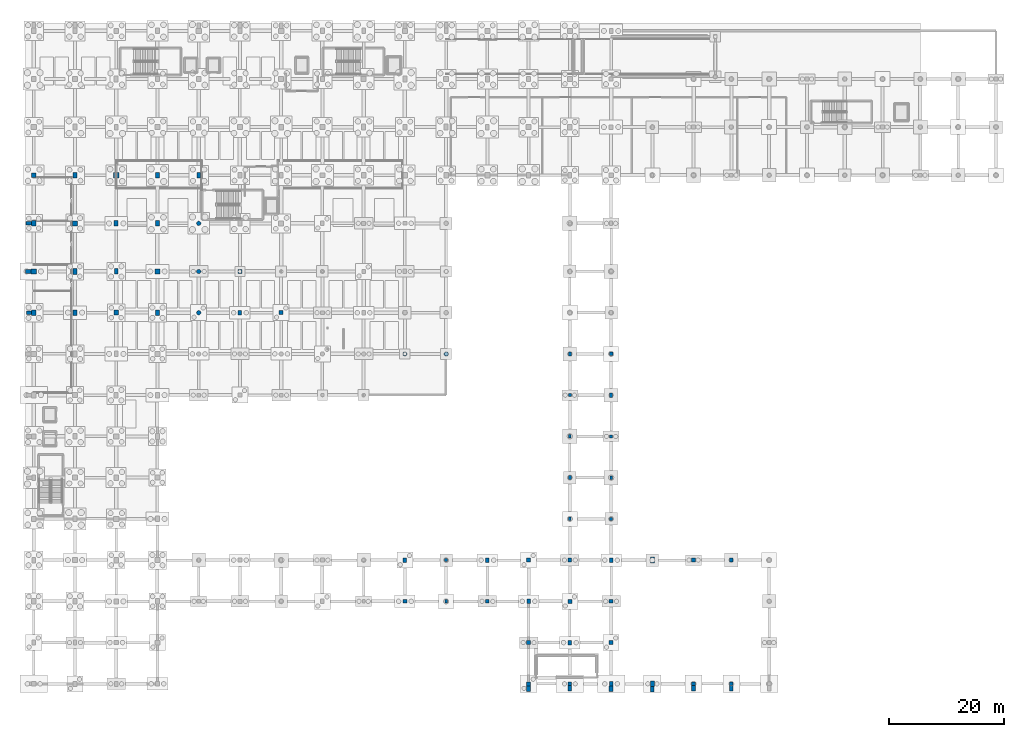
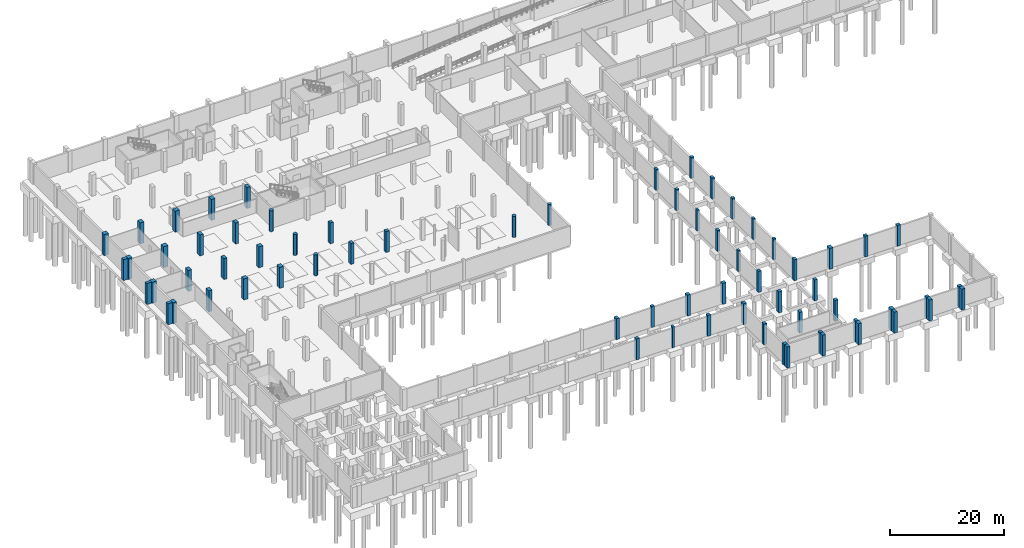
# One storey, part 16 of 35: 68 columns.
"""IFC4 building model written with IfcOpenShell, lengths in metres."""

from ifc_helpers import new_model, si_unit, direction, frame, origin, origin_2d, place, context, subcontext, project, spatial, rectangle, circle, extrude, material, material_profile, profile_set, type_object, element, save


model = new_model("IFC4")

# Units and contexts
model_context = context("Model", 3, precision=1e-05, world=origin(), true_north=direction((0.0, 1.0)))
body_context = subcontext(model_context, "Body", "Model", "MODEL_VIEW")
ifc_project = project(units=[si_unit("LENGTHUNIT", "METRE"), si_unit("AREAUNIT", "SQUARE_METRE"), si_unit("VOLUMEUNIT", "CUBIC_METRE"), si_unit("PLANEANGLEUNIT", "RADIAN"), si_unit("MASSUNIT", "GRAM", prefix="KILO")], contexts=[model_context])

# Site, building, storey
site_placement = place(None, origin())
site = spatial("IfcSite", under=ifc_project, at=site_placement, CompositionType="ELEMENT")
building_placement = place(site_placement, origin())
building = spatial("IfcBuilding", under=site, at=building_placement, Name="Kalluvel Institute of Natural Sciences", CompositionType="ELEMENT")
storey_placement = place(building_placement, frame((0.0, 0.0, -4.5)))
storey = spatial("IfcBuildingStorey", under=building, at=storey_placement, Name="B1", CompositionType="ELEMENT", Elevation=-4.5)

# Columns
ifc_material_1 = material(Name="Concrete M40", Category="concrete")
ifc_material_profile_1 = material_profile(ifc_material_1, rectangle(XDim=0.449951171875, YDim=0.60009765625, at=origin_2d()), Name="RC 450x600")
ifc_profile_set_1 = profile_set([ifc_material_profile_1], Name="Concrete M40")
column_type_1 = type_object("IfcColumnType", Name="COL-RC450x600", PredefinedType="COLUMN", material=ifc_profile_set_1)
for number, where, z_axis, x_axis, name in (
    (1, (86.0, 28.39990234375, 0.0), (0.0, 0.0, 1.0), (1.0, 0.0, 0.0), "B1 structural column COL-B1-X860-Y284"),
    (2, (107.60009765625, 42.800048828125, 0.0), (0.0, 0.0, 1.0), (1.0, 0.0, 0.0), "B1 structural column COL-B1-X1076-Y428"),
    (3, (107.60009765625, 57.199951171875, 0.0), (0.0, 0.0, 1.0), (1.0, 0.0, 0.0), "B1 structural column COL-B1-X1076-Y572"),
    (4, (114.800048828125, 50.0, 0.0), (0.0, 0.0, 1.0), (1.0, 0.0, 0.0), "B1 structural column COL-B1-X1148-Y500"),
):
    element("IfcColumn", number, at=place(storey_placement, frame(where, z_axis=z_axis, x_axis=x_axis)), inside=storey, type_object=column_type_1, Name=name, PredefinedType="COLUMN", context=body_context, shape_type="SweptSolid", body=[
        extrude(rectangle(XDim=0.449951171875, YDim=0.60009765625, at=origin_2d()), origin(), (0.0, 0.0, 1.0), 4.5),
    ])
ifc_material_profile_2 = material_profile(ifc_material_1, rectangle(XDim=0.5, YDim=0.699951171875, at=origin_2d()), Name="RC 500x700")
ifc_profile_set_2 = profile_set([ifc_material_profile_2], Name="Concrete M40")
column_type_2 = type_object("IfcColumnType", Name="COL-RC500x700", PredefinedType="COLUMN", material=ifc_profile_set_2)
column_1_placement = place(storey_placement, frame((107.60009765625, 50.0, 0.0), z_axis=(0.0, 0.0, 1.0), x_axis=(1.0, 0.0, 0.0)))
element("IfcColumn", 5, at=column_1_placement, inside=storey, type_object=column_type_2, Name="B1 structural column COL-B1-X1076-Y500", PredefinedType="COLUMN", context=body_context, shape_type="SweptSolid", body=[
    extrude(rectangle(XDim=0.5, YDim=0.699951171875, at=origin_2d()), origin(), (0.0, 0.0, 1.0), 4.5),
])
ifc_material_profile_3 = material_profile(ifc_material_1, rectangle(XDim=0.550048828125, YDim=0.550048828125, at=origin_2d()), Name="RC 550x550")
ifc_profile_set_3 = profile_set([ifc_material_profile_3], Name="Concrete M40")
column_type_3 = type_object("IfcColumnType", Name="COL-RC550", PredefinedType="COLUMN", material=ifc_profile_set_3)
for number, where, z_axis, x_axis, name in (
    (6, (86.0, 35.60009765625, 0.0), (0.0, 0.0, 1.0), (1.0, 0.0, 0.0), "B1 structural column COL-B1-X860-Y356"),
    (7, (107.60009765625, 64.39990234375, 0.0), (0.0, 0.0, 1.0), (1.0, 0.0, 0.0), "B1 structural column COL-B1-X1076-Y644"),
    (8, (114.800048828125, 42.800048828125, 0.0), (0.0, 0.0, 1.0), (1.0, 0.0, 0.0), "B1 structural column COL-B1-X1148-Y428"),
    (9, (114.800048828125, 57.199951171875, 0.0), (0.0, 0.0, 1.0), (1.0, 0.0, 0.0), "B1 structural column COL-B1-X1148-Y572"),
):
    element("IfcColumn", number, at=place(storey_placement, frame(where, z_axis=z_axis, x_axis=x_axis)), inside=storey, type_object=column_type_3, Name=name, PredefinedType="COLUMN", context=body_context, shape_type="SweptSolid", body=[
        extrude(rectangle(XDim=0.550048828125, YDim=0.550048828125, at=origin_2d()), origin(), (0.0, 0.0, 1.0), 4.5),
    ])
ifc_material_profile_4 = material_profile(ifc_material_1, rectangle(XDim=0.550048828125, YDim=0.75, at=origin_2d()), Name="RC 550x750")
ifc_profile_set_4 = profile_set([ifc_material_profile_4], Name="Concrete M40")
column_type_4 = type_object("IfcColumnType", Name="COL-RC550x750", PredefinedType="COLUMN", material=ifc_profile_set_4)
for number, where, z_axis, x_axis, name in (
    (10, (107.60009765625, 71.60009765625, 0.0), (0.0, 0.0, 1.0), (1.0, 0.0, 0.0), "B1 structural column COL-B1-X1076-Y716"),
    (11, (114.800048828125, 64.39990234375, 0.0), (0.0, 0.0, 1.0), (1.0, 0.0, 0.0), "B1 structural column COL-B1-X1148-Y644"),
):
    element("IfcColumn", number, at=place(storey_placement, frame(where, z_axis=z_axis, x_axis=x_axis)), inside=storey, type_object=column_type_4, Name=name, PredefinedType="COLUMN", context=body_context, shape_type="SweptSolid", body=[
        extrude(rectangle(XDim=0.550048828125, YDim=0.75, at=origin_2d()), origin(), (0.0, 0.0, 1.0), 4.5),
    ])
ifc_material_profile_5 = material_profile(ifc_material_1, rectangle(XDim=0.60009765625, YDim=0.60009765625, at=origin_2d()), Name="RC 600x600")
ifc_profile_set_5 = profile_set([ifc_material_profile_5], Name="Concrete M40")
column_type_5 = type_object("IfcColumnType", Name="COL-RC600", PredefinedType="COLUMN", material=ifc_profile_set_5)
column_2_placement = place(storey_placement, frame((114.800048828125, 71.60009765625, 0.0), z_axis=(0.0, 0.0, 1.0), x_axis=(1.0, 0.0, 0.0)))
element("IfcColumn", 12, at=column_2_placement, inside=storey, type_object=column_type_5, Name="B1 structural column COL-B1-X1148-Y716", PredefinedType="COLUMN", context=body_context, shape_type="SweptSolid", body=[
    extrude(rectangle(XDim=0.60009765625, YDim=0.60009765625, at=origin_2d()), origin(), (0.0, 0.0, 1.0), 4.5),
])
ifc_material_2 = material(Name="Concrete M50", Category="concrete")
ifc_material_profile_6 = material_profile(ifc_material_2, rectangle(XDim=0.60009765625, YDim=0.800048828125, at=origin_2d()), Name="RC 600x800")
ifc_profile_set_6 = profile_set([ifc_material_profile_6], Name="Concrete M50")
column_type_6 = type_object("IfcColumnType", Name="COL-RC600x800", PredefinedType="COLUMN", material=ifc_profile_set_6)
for number, where, z_axis, x_axis, name in (
    (13, (50.0, 78.800048828125, 0.0), (0.0, 0.0, 1.0), (1.0, 0.0, 0.0), "B1 structural column COL-B1-X500-Y788"),
    (14, (78.800048828125, 35.60009765625, 0.0), (0.0, 0.0, 1.0), (1.0, 0.0, 0.0), "B1 structural column COL-B1-X788-Y356"),
    (15, (93.199951171875, 35.60009765625, 0.0), (0.0, 0.0, 1.0), (1.0, 0.0, 0.0), "B1 structural column COL-B1-X932-Y356"),
    (16, (100.39990234375, 28.39990234375, 0.0), (0.0, 0.0, 1.0), (1.0, 0.0, 0.0), "B1 structural column COL-B1-X1004-Y284"),
    (17, (107.60009765625, 21.199951171875, 0.0), (0.0, 0.0, 1.0), (1.0, 0.0, 0.0), "B1 structural column COL-B1-X1076-Y212"),
    (18, (114.800048828125, 14.0, 0.0), (0.0, 0.0, 1.0), (1.0, 0.0, 0.0), "B1 structural column COL-B1-X1148-Y140"),
    (19, (114.800048828125, 35.60009765625, 0.0), (0.0, 0.0, 1.0), (1.0, 0.0, 0.0), "B1 structural column COL-B1-X1148-Y356"),
):
    element("IfcColumn", number, at=place(storey_placement, frame(where, z_axis=z_axis, x_axis=x_axis)), inside=storey, type_object=column_type_6, Name=name, PredefinedType="COLUMN", context=body_context, shape_type="SweptSolid", body=[
        extrude(rectangle(XDim=0.60009765625, YDim=0.800048828125, at=origin_2d()), origin(), (0.0, 0.0, 1.0), 4.5),
    ])
ifc_material_profile_7 = material_profile(ifc_material_1, rectangle(XDim=0.64990234375, YDim=0.64990234375, at=origin_2d()), Name="RC 650x650")
ifc_profile_set_7 = profile_set([ifc_material_profile_7], Name="Concrete M40")
column_type_7 = type_object("IfcColumnType", Name="COL-RC650", PredefinedType="COLUMN", material=ifc_profile_set_7)
for number, where, z_axis, x_axis, name in (
    (20, (50.0, 86.0, 0.0), (0.0, 0.0, 1.0), (1.0, 0.0, 0.0), "B1 structural column COL-B1-X500-Y860"),
    (21, (78.800048828125, 28.39990234375, 0.0), (0.0, 0.0, 1.0), (1.0, 0.0, 0.0), "B1 structural column COL-B1-X788-Y284"),
    (22, (93.199951171875, 28.39990234375, 0.0), (0.0, 0.0, 1.0), (1.0, 0.0, 0.0), "B1 structural column COL-B1-X932-Y284"),
    (23, (100.39990234375, 21.199951171875, 0.0), (0.0, 0.0, 1.0), (1.0, 0.0, 0.0), "B1 structural column COL-B1-X1004-Y212"),
    (24, (107.60009765625, 14.0, 0.0), (0.0, 0.0, 1.0), (1.0, 0.0, 0.0), "B1 structural column COL-B1-X1076-Y140"),
    (25, (107.60009765625, 35.60009765625, 0.0), (0.0, 0.0, 1.0), (1.0, 0.0, 0.0), "B1 structural column COL-B1-X1076-Y356"),
    (26, (114.800048828125, 28.39990234375, 0.0), (0.0, 0.0, 1.0), (1.0, 0.0, 0.0), "B1 structural column COL-B1-X1148-Y284"),
    (27, (129.199951171875, 14.0, 0.0), (0.0, 0.0, 1.0), (1.0, 0.0, 0.0), "B1 structural column COL-B1-X1292-Y140"),
    (28, (129.199951171875, 35.60009765625, 0.0), (0.0, 0.0, 1.0), (1.0, 0.0, 0.0), "B1 structural column COL-B1-X1292-Y356"),
    (29, (135.800048828125, 14.0, 0.0), (0.0, 0.0, 1.0), (1.0, 0.0, 0.0), "B1 structural column COL-B1-X1358-Y140"),
    (30, (135.800048828125, 35.60009765625, 0.0), (0.0, 0.0, 1.0), (1.0, 0.0, 0.0), "B1 structural column COL-B1-X1358-Y356"),
):
    element("IfcColumn", number, at=place(storey_placement, frame(where, z_axis=z_axis, x_axis=x_axis)), inside=storey, type_object=column_type_7, Name=name, PredefinedType="COLUMN", context=body_context, shape_type="SweptSolid", body=[
        extrude(rectangle(XDim=0.64990234375, YDim=0.64990234375, at=origin_2d()), origin(), (0.0, 0.0, 1.0), 4.5),
    ])
ifc_material_profile_8 = material_profile(ifc_material_2, rectangle(XDim=0.64990234375, YDim=0.949951171875, at=origin_2d()), Name="RC 650x950")
ifc_profile_set_8 = profile_set([ifc_material_profile_8], Name="Concrete M50")
column_type_8 = type_object("IfcColumnType", Name="COL-RC650x950", PredefinedType="COLUMN", material=ifc_profile_set_8)
for number, where, z_axis, x_axis, name in (
    (31, (21.199951171875, 78.800048828125, 0.0), (0.0, 0.0, 1.0), (1.0, 0.0, 0.0), "B1 structural column COL-B1-X212-Y788"),
    (32, (28.39990234375, 86.0, 0.0), (0.0, 0.0, 1.0), (1.0, 0.0, 0.0), "B1 structural column COL-B1-X284-Y860"),
    (33, (35.60009765625, 94.39990234375, 0.0), (0.0, 0.0, 1.0), (1.0, 0.0, 0.0), "B1 structural column COL-B1-X356-Y944"),
    (34, (42.800048828125, 102.800048828125, 0.0), (0.0, 0.0, 1.0), (1.0, 0.0, 0.0), "B1 structural column COL-B1-X428-Y1028"),
    (35, (13.172119140625, 78.800048828125, 0.0), (0.0, 0.0, 1.0), (0.0, 1.0, 0.0), "B1 Gothic stepped Sadarahalli granite buttress 109"),
    (36, (13.072021484375, 86.0, 0.0), (0.0, 0.0, 1.0), (0.0, 1.0, 0.0), "B1 Gothic stepped Sadarahalli granite buttress 117"),
    (37, (13.14697265625, 94.39990234375, 0.0), (0.0, 0.0, 1.0), (0.0, 1.0, 0.0), "B1 Gothic stepped Sadarahalli granite buttress 125"),
    (38, (100.39990234375, 13.172119140625, 0.0), (0.0, 0.0, 1.0), (1.0, 0.0, 0.0), "B1 Lecture and Commons Gothic stone buttress 133"),
    (39, (107.60009765625, 13.197021484375, 0.0), (0.0, 0.0, 1.0), (1.0, 0.0, 0.0), "B1 Lecture and Commons Gothic stone buttress 138"),
    (40, (114.800048828125, 13.1220703125, 0.0), (0.0, 0.0, 1.0), (1.0, 0.0, 0.0), "B1 Lecture and Commons Gothic stone buttress 143"),
    (41, (122.0, 13.02197265625, 0.0), (0.0, 0.0, 1.0), (1.0, 0.0, 0.0), "B1 Lecture and Commons Gothic stone buttress 148"),
    (42, (129.199951171875, 13.197021484375, 0.0), (0.0, 0.0, 1.0), (1.0, 0.0, 0.0), "B1 Lecture and Commons Gothic stone buttress 151"),
    (43, (135.800048828125, 13.197021484375, 0.0), (0.0, 0.0, 1.0), (1.0, 0.0, 0.0), "B1 Lecture and Commons Gothic stone buttress 154"),
):
    element("IfcColumn", number, at=place(storey_placement, frame(where, z_axis=z_axis, x_axis=x_axis)), inside=storey, type_object=column_type_8, Name=name, PredefinedType="COLUMN", context=body_context, shape_type="SweptSolid", body=[
        extrude(rectangle(XDim=0.64990234375, YDim=0.949951171875, at=origin_2d()), origin(), (0.0, 0.0, 1.0), 4.5),
    ])
ifc_material_profile_9 = material_profile(ifc_material_1, rectangle(XDim=0.699951171875, YDim=0.699951171875, at=origin_2d()), Name="RC 700x700")
ifc_profile_set_9 = profile_set([ifc_material_profile_9], Name="Concrete M40")
column_type_9 = type_object("IfcColumnType", Name="COL-RC700", PredefinedType="COLUMN", material=ifc_profile_set_9)
for number, where, z_axis, x_axis, name in (
    (44, (57.199951171875, 78.800048828125, 0.0), (0.0, 0.0, 1.0), (1.0, 0.0, 0.0), "B1 structural column COL-B1-X572-Y788"),
    (45, (100.39990234375, 14.0, 0.0), (0.0, 0.0, 1.0), (1.0, 0.0, 0.0), "B1 structural column COL-B1-X1004-Y140"),
    (46, (100.39990234375, 35.60009765625, 0.0), (0.0, 0.0, 1.0), (1.0, 0.0, 0.0), "B1 structural column COL-B1-X1004-Y356"),
    (47, (107.60009765625, 28.39990234375, 0.0), (0.0, 0.0, 1.0), (1.0, 0.0, 0.0), "B1 structural column COL-B1-X1076-Y284"),
    (48, (114.800048828125, 21.199951171875, 0.0), (0.0, 0.0, 1.0), (1.0, 0.0, 0.0), "B1 structural column COL-B1-X1148-Y212"),
):
    element("IfcColumn", number, at=place(storey_placement, frame(where, z_axis=z_axis, x_axis=x_axis)), inside=storey, type_object=column_type_9, Name=name, PredefinedType="COLUMN", context=body_context, shape_type="SweptSolid", body=[
        extrude(rectangle(XDim=0.699951171875, YDim=0.699951171875, at=origin_2d()), origin(), (0.0, 0.0, 1.0), 4.5),
    ])
ifc_material_profile_10 = material_profile(ifc_material_2, rectangle(XDim=0.699951171875, YDim=1.0, at=origin_2d()), Name="RC 700x1000")
ifc_profile_set_10 = profile_set([ifc_material_profile_10], Name="Concrete M50")
column_type_10 = type_object("IfcColumnType", Name="COL-RC700x1000", PredefinedType="COLUMN", material=ifc_profile_set_10)
for number, where, z_axis, x_axis, name in (
    (49, (14.0, 78.800048828125, 0.0), (0.0, 0.0, 1.0), (1.0, 0.0, 0.0), "B1 structural column COL-B1-X140-Y788"),
    (50, (21.199951171875, 86.0, 0.0), (0.0, 0.0, 1.0), (1.0, 0.0, 0.0), "B1 structural column COL-B1-X212-Y860"),
    (51, (28.39990234375, 94.39990234375, 0.0), (0.0, 0.0, 1.0), (1.0, 0.0, 0.0), "B1 structural column COL-B1-X284-Y944"),
    (52, (35.60009765625, 102.800048828125, 0.0), (0.0, 0.0, 1.0), (1.0, 0.0, 0.0), "B1 structural column COL-B1-X356-Y1028"),
    (53, (122.0, 14.0, 0.0), (0.0, 0.0, 1.0), (1.0, 0.0, 0.0), "B1 structural column COL-B1-X1220-Y140"),
    (54, (122.0, 35.60009765625, 0.0), (0.0, 0.0, 1.0), (1.0, 0.0, 0.0), "B1 structural column COL-B1-X1220-Y356"),
):
    element("IfcColumn", number, at=place(storey_placement, frame(where, z_axis=z_axis, x_axis=x_axis)), inside=storey, type_object=column_type_10, Name=name, PredefinedType="COLUMN", context=body_context, shape_type="SweptSolid", body=[
        extrude(rectangle(XDim=0.699951171875, YDim=1.0, at=origin_2d()), origin(), (0.0, 0.0, 1.0), 4.5),
    ])
ifc_material_profile_11 = material_profile(ifc_material_2, rectangle(XDim=0.75, YDim=0.949951171875, at=origin_2d()), Name="RC 750x950")
ifc_profile_set_11 = profile_set([ifc_material_profile_11], Name="Concrete M50")
column_type_11 = type_object("IfcColumnType", Name="COL-RC750x950", PredefinedType="COLUMN", material=ifc_profile_set_11)
for number, where, z_axis, x_axis, name in (
    (55, (14.0, 94.39990234375, 0.0), (0.0, 0.0, 1.0), (1.0, 0.0, 0.0), "B1 structural column COL-B1-X140-Y944"),
    (56, (21.199951171875, 102.800048828125, 0.0), (0.0, 0.0, 1.0), (1.0, 0.0, 0.0), "B1 structural column COL-B1-X212-Y1028"),
    (57, (35.60009765625, 78.800048828125, 0.0), (0.0, 0.0, 1.0), (1.0, 0.0, 0.0), "B1 structural column COL-B1-X356-Y788"),
):
    element("IfcColumn", number, at=place(storey_placement, frame(where, z_axis=z_axis, x_axis=x_axis)), inside=storey, type_object=column_type_11, Name=name, PredefinedType="COLUMN", context=body_context, shape_type="SweptSolid", body=[
        extrude(rectangle(XDim=0.75, YDim=0.949951171875, at=origin_2d()), origin(), (0.0, 0.0, 1.0), 4.5),
    ])
ifc_material_profile_12 = material_profile(ifc_material_2, rectangle(XDim=0.85009765625, YDim=0.85009765625, at=origin_2d()), Name="RC 850x850")
ifc_profile_set_12 = profile_set([ifc_material_profile_12], Name="Concrete M50")
column_type_12 = type_object("IfcColumnType", Name="COL-RC850", PredefinedType="COLUMN", material=ifc_profile_set_12)
for number, where, z_axis, x_axis, name in (
    (58, (14.0, 102.800048828125, 0.0), (0.0, 0.0, 1.0), (1.0, 0.0, 0.0), "B1 structural column COL-B1-X140-Y1028"),
    (59, (28.39990234375, 78.800048828125, 0.0), (0.0, 0.0, 1.0), (1.0, 0.0, 0.0), "B1 structural column COL-B1-X284-Y788"),
    (60, (35.60009765625, 86.0, 0.0), (0.0, 0.0, 1.0), (1.0, 0.0, 0.0), "B1 structural column COL-B1-X356-Y860"),
):
    element("IfcColumn", number, at=place(storey_placement, frame(where, z_axis=z_axis, x_axis=x_axis)), inside=storey, type_object=column_type_12, Name=name, PredefinedType="COLUMN", context=body_context, shape_type="SweptSolid", body=[
        extrude(rectangle(XDim=0.85009765625, YDim=0.85009765625, at=origin_2d()), origin(), (0.0, 0.0, 1.0), 4.5),
    ])
ifc_material_profile_13 = material_profile(ifc_material_2, rectangle(XDim=0.89990234375, YDim=0.89990234375, at=origin_2d()), Name="RC 900x900")
ifc_profile_set_13 = profile_set([ifc_material_profile_13], Name="Concrete M50")
column_type_13 = type_object("IfcColumnType", Name="COL-RC900", PredefinedType="COLUMN", material=ifc_profile_set_13)
for number, where, z_axis, x_axis, name in (
    (61, (14.0, 86.0, 0.0), (0.0, 0.0, 1.0), (1.0, 0.0, 0.0), "B1 structural column COL-B1-X140-Y860"),
    (62, (21.199951171875, 94.39990234375, 0.0), (0.0, 0.0, 1.0), (1.0, 0.0, 0.0), "B1 structural column COL-B1-X212-Y944"),
    (63, (28.39990234375, 102.800048828125, 0.0), (0.0, 0.0, 1.0), (1.0, 0.0, 0.0), "B1 structural column COL-B1-X284-Y1028"),
):
    element("IfcColumn", number, at=place(storey_placement, frame(where, z_axis=z_axis, x_axis=x_axis)), inside=storey, type_object=column_type_13, Name=name, PredefinedType="COLUMN", context=body_context, shape_type="SweptSolid", body=[
        extrude(rectangle(XDim=0.89990234375, YDim=0.89990234375, at=origin_2d()), origin(), (0.0, 0.0, 1.0), 4.5),
    ])
ifc_material_profile_14 = material_profile(ifc_material_2, circle(Radius=0.375, at=origin_2d()), Name="RCCOL D750")
ifc_profile_set_14 = profile_set([ifc_material_profile_14], Name="Concrete M50")
column_type_14 = type_object("IfcColumnType", Name="COL-RCD750", PredefinedType="COLUMN", material=ifc_profile_set_14)
for number, where, z_axis, x_axis, name in (
    (64, (42.800048828125, 78.800048828125, 0.0), (0.0, 0.0, 1.0), (1.0, 0.0, 0.0), "B1 structural column COL-B1-X428-Y788"),
    (65, (42.800048828125, 86.0, 0.0), (0.0, 0.0, 1.0), (1.0, 0.0, 0.0), "B1 structural column COL-B1-X428-Y860"),
    (66, (42.800048828125, 94.39990234375, 0.0), (0.0, 0.0, 1.0), (1.0, 0.0, 0.0), "B1 structural column COL-B1-X428-Y944"),
    (67, (78.800048828125, 71.60009765625, 0.0), (0.0, 0.0, 1.0), (1.0, 0.0, 0.0), "B1 structural column COL-B1-X788-Y716"),
    (68, (86.0, 71.60009765625, 0.0), (0.0, 0.0, 1.0), (1.0, 0.0, 0.0), "B1 structural column COL-B1-X860-Y716"),
):
    element("IfcColumn", number, at=place(storey_placement, frame(where, z_axis=z_axis, x_axis=x_axis)), inside=storey, type_object=column_type_14, Name=name, PredefinedType="COLUMN", context=body_context, shape_type="SweptSolid", body=[
        extrude(circle(Radius=0.375, at=origin_2d()), origin(), (0.0, 0.0, 1.0), 4.5),
    ])

save(model, "model.ifc")
